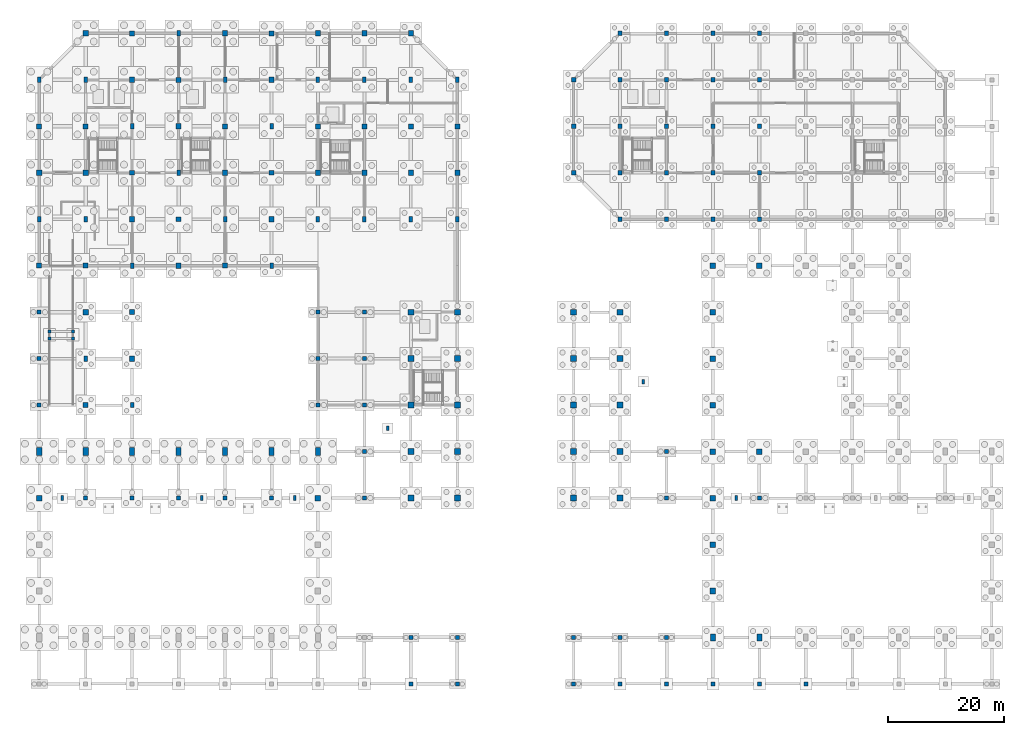
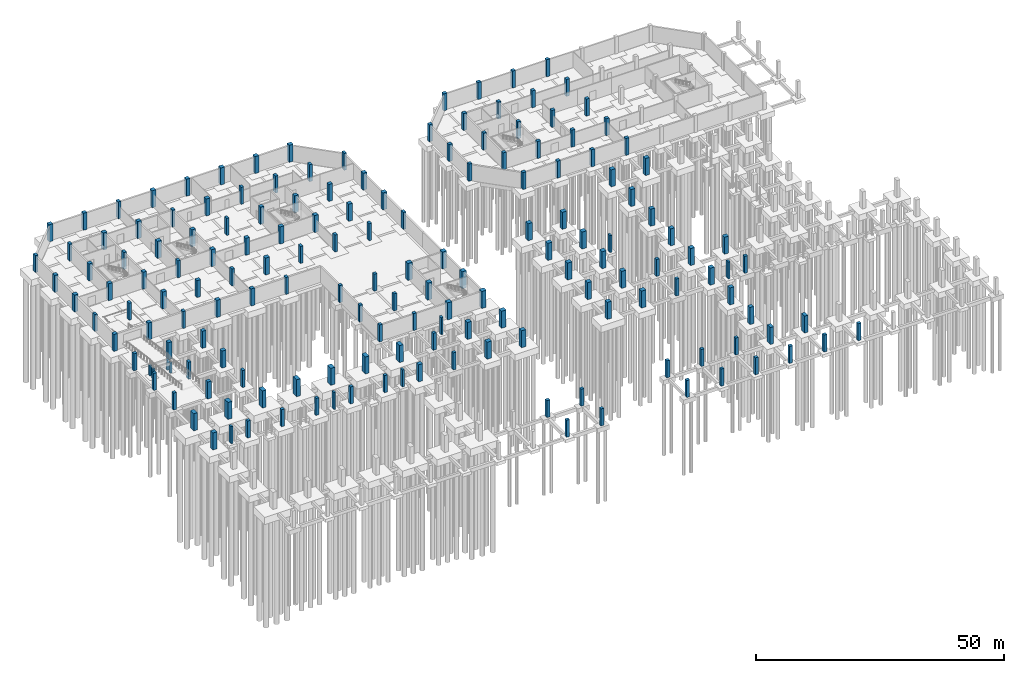
# One storey, part 14 of 32: 166 columns.
"""IFC4 building model written with IfcOpenShell, lengths in metres."""

from ifc_helpers import new_model, si_unit, direction, frame, origin, origin_2d, place, context, subcontext, project, spatial, rectangle, extrude, material, material_profile, profile_set, type_object, element, save


model = new_model("IFC4")

# Units and contexts
model_context = context("Model", 3, precision=1e-05, world=origin(), true_north=direction((0.0, 1.0)))
body_context = subcontext(model_context, "Body", "Model", "MODEL_VIEW")
ifc_project = project(units=[si_unit("LENGTHUNIT", "METRE"), si_unit("AREAUNIT", "SQUARE_METRE"), si_unit("VOLUMEUNIT", "CUBIC_METRE"), si_unit("PLANEANGLEUNIT", "RADIAN"), si_unit("MASSUNIT", "GRAM", prefix="KILO")], contexts=[model_context])

# Site, building, storey
site_placement = place(None, origin())
site = spatial("IfcSite", under=ifc_project, at=site_placement, CompositionType="ELEMENT")
building_placement = place(site_placement, origin())
building = spatial("IfcBuilding", under=site, at=building_placement, Name="Tenunan Teduh Sports Hall", CompositionType="ELEMENT")
storey_placement = place(building_placement, frame((0.0, 0.0, -4.199951171875)))
storey = spatial("IfcBuildingStorey", under=building, at=storey_placement, Name="B1", CompositionType="ELEMENT", Elevation=-4.199951171875)

# Columns
ifc_material_1 = material(Name="Concrete C40/50", Category="concrete")
ifc_material_profile_1 = material_profile(ifc_material_1, rectangle(XDim=1.0, YDim=1.0, at=origin_2d()), Name="RC 1000x1000")
ifc_profile_set_1 = profile_set([ifc_material_profile_1], Name="Concrete C40/50")
column_type_1 = type_object("IfcColumnType", Name="COL-RC-1000", PredefinedType="COLUMN", material=ifc_profile_set_1)
for number, where, z_axis, x_axis, name in (
    (1, (70.0, 38.0, 0.0), (0.0, 0.0, 1.0), (1.0, 0.0, 0.0), "COL-C-01-B1-099"),
    (2, (70.0, 46.0, 0.0), (0.0, 0.0, 1.0), (1.0, 0.0, 0.0), "COL-C-01-B1-100"),
    (3, (70.0, 54.0, 0.0), (0.0, 0.0, 1.0), (1.0, 0.0, 0.0), "COL-C-01-B1-101"),
    (4, (70.0, 62.0, 0.0), (0.0, 0.0, 1.0), (1.0, 0.0, 0.0), "COL-C-01-B1-102"),
    (5, (70.0, 70.0, 0.0), (0.0, 0.0, 1.0), (1.0, 0.0, 0.0), "COL-C-01-B1-103"),
    (6, (78.0, 38.0, 0.0), (0.0, 0.0, 1.0), (1.0, 0.0, 0.0), "COL-C-01-B1-111"),
    (7, (78.0, 46.0, 0.0), (0.0, 0.0, 1.0), (1.0, 0.0, 0.0), "COL-C-01-B1-112"),
    (8, (78.0, 54.0, 0.0), (0.0, 0.0, 1.0), (1.0, 0.0, 0.0), "COL-C-01-B1-113"),
    (9, (78.0, 62.0, 0.0), (0.0, 0.0, 1.0), (1.0, 0.0, 0.0), "COL-C-01-B1-114"),
    (10, (78.0, 70.0, 0.0), (0.0, 0.0, 1.0), (1.0, 0.0, 0.0), "COL-C-01-B1-115"),
    (11, (98.0, 38.0, 0.0), (0.0, 0.0, 1.0), (1.0, 0.0, 0.0), "COL-C-01-B1-122"),
    (12, (98.0, 46.0, 0.0), (0.0, 0.0, 1.0), (1.0, 0.0, 0.0), "COL-C-01-B1-123"),
    (13, (98.0, 54.0, 0.0), (0.0, 0.0, 1.0), (1.0, 0.0, 0.0), "COL-C-01-B1-124"),
    (14, (98.0, 62.0, 0.0), (0.0, 0.0, 1.0), (1.0, 0.0, 0.0), "COL-C-01-B1-125"),
    (15, (98.0, 70.0, 0.0), (0.0, 0.0, 1.0), (1.0, 0.0, 0.0), "COL-C-01-B1-126"),
    (16, (106.0, 38.0, 0.0), (0.0, 0.0, 1.0), (1.0, 0.0, 0.0), "COL-C-01-B1-132"),
    (17, (106.0, 46.0, 0.0), (0.0, 0.0, 1.0), (1.0, 0.0, 0.0), "COL-C-01-B1-133"),
    (18, (106.0, 54.0, 0.0), (0.0, 0.0, 1.0), (1.0, 0.0, 0.0), "COL-C-01-B1-134"),
    (19, (106.0, 62.0, 0.0), (0.0, 0.0, 1.0), (1.0, 0.0, 0.0), "COL-C-01-B1-135"),
    (20, (106.0, 70.0, 0.0), (0.0, 0.0, 1.0), (1.0, 0.0, 0.0), "COL-C-01-B1-136"),
):
    element("IfcColumn", number, at=place(storey_placement, frame(where, z_axis=z_axis, x_axis=x_axis)), inside=storey, type_object=column_type_1, Name=name, PredefinedType="COLUMN", context=body_context, shape_type="SweptSolid", body=[
        extrude(rectangle(XDim=1.0, YDim=1.0, at=origin_2d()), origin(), (0.0, 0.0, 1.0), 4.199951171875),
    ])
ifc_material_2 = material(Name="Concrete C40/50", Category="concrete")
ifc_material_profile_2 = material_profile(ifc_material_2, rectangle(XDim=0.5, YDim=0.5, at=origin_2d()), Name="RC 500x500")
ifc_profile_set_2 = profile_set([ifc_material_profile_2], Name="Concrete C40/50")
column_type_2 = type_object("IfcColumnType", Name="COL-RC-500", PredefinedType="COLUMN", material=ifc_profile_set_2)
for number, where, z_axis, x_axis, name in (
    (21, (7.800048828125, 65.5, 0.0), (0.0, 0.0, 1.0), (1.0, 0.0, 0.0), "COL-C-11-VRMP-1"),
    (22, (11.800048828125, 65.5, 0.0), (0.0, 0.0, 1.0), (1.0, 0.0, 0.0), "COL-C-11-VRMP-2"),
    (23, (7.800048828125, 66.699951171875, 0.0), (0.0, 0.0, 1.0), (1.0, 0.0, 0.0), "COL-C-11-VRMP-3"),
    (24, (11.800048828125, 66.699951171875, 0.0), (0.0, 0.0, 1.0), (1.0, 0.0, 0.0), "COL-C-11-VRMP-4"),
):
    element("IfcColumn", number, at=place(storey_placement, frame(where, z_axis=z_axis, x_axis=x_axis)), inside=storey, type_object=column_type_2, Name=name, PredefinedType="COLUMN", context=body_context, shape_type="SweptSolid", body=[
        extrude(rectangle(XDim=0.5, YDim=0.5, at=origin_2d()), origin(), (0.0, 0.0, 1.0), 2.510009765625),
    ])
ifc_material_3 = material(Name="Concrete C40/50", Category="concrete")
ifc_material_profile_3 = material_profile(ifc_material_3, rectangle(XDim=0.60009765625, YDim=0.89990234375, at=origin_2d()), Name="RC 600x900")
ifc_profile_set_3 = profile_set([ifc_material_profile_3], Name="Concrete C40/50")
column_type_3 = type_object("IfcColumnType", Name="COL-RC-600x900", PredefinedType="COLUMN", material=ifc_profile_set_3)
for number, where, z_axis, x_axis, name in (
    (25, (6.0, 86.0, 0.0), (0.0, 0.0, 1.0), (1.0, 0.0, 0.0), "COL-C-17-B1-011"),
    (26, (6.0, 110.0, 0.0), (0.0, 0.0, 1.0), (1.0, 0.0, 0.0), "COL-C-17-B1-014"),
    (27, (14.0, 62.0, 0.0), (0.0, 0.0, 1.0), (1.0, 0.0, 0.0), "COL-C-17-B1-020"),
    (28, (14.0, 86.0, 0.0), (0.0, 0.0, 1.0), (1.0, 0.0, 0.0), "COL-C-17-B1-023"),
    (29, (14.0, 110.0, 0.0), (0.0, 0.0, 1.0), (1.0, 0.0, 0.0), "COL-C-17-B1-026"),
    (30, (22.0, 54.0, 0.0), (0.0, 0.0, 1.0), (1.0, 0.0, 0.0), "COL-C-17-B1-032"),
    (31, (22.0, 78.0, 0.0), (0.0, 0.0, 1.0), (1.0, 0.0, 0.0), "COL-C-17-B1-035"),
    (32, (22.0, 102.0, 0.0), (0.0, 0.0, 1.0), (1.0, 0.0, 0.0), "COL-C-17-B1-038"),
    (33, (30.0, 94.0, 0.0), (0.0, 0.0, 1.0), (1.0, 0.0, 0.0), "COL-C-17-B1-047"),
    (34, (30.0, 118.0, 0.0), (0.0, 0.0, 1.0), (1.0, 0.0, 0.0), "COL-C-17-B1-050"),
    (35, (38.0, 86.0, 0.0), (0.0, 0.0, 1.0), (1.0, 0.0, 0.0), "COL-C-17-B1-056"),
    (36, (38.0, 110.0, 0.0), (0.0, 0.0, 1.0), (1.0, 0.0, 0.0), "COL-C-17-B1-059"),
    (37, (46.0, 78.0, 0.0), (0.0, 0.0, 1.0), (1.0, 0.0, 0.0), "COL-C-17-B1-065"),
    (38, (46.0, 102.0, 0.0), (0.0, 0.0, 1.0), (1.0, 0.0, 0.0), "COL-C-17-B1-068"),
    (39, (54.0, 86.0, 0.0), (0.0, 0.0, 1.0), (1.0, 0.0, 0.0), "COL-C-17-B1-080"),
    (40, (54.0, 110.0, 0.0), (0.0, 0.0, 1.0), (1.0, 0.0, 0.0), "COL-C-17-B1-083"),
    (41, (62.0, 86.0, 0.0), (0.0, 0.0, 1.0), (1.0, 0.0, 0.0), "COL-C-17-B1-092"),
    (42, (62.0, 110.0, 0.0), (0.0, 0.0, 1.0), (1.0, 0.0, 0.0), "COL-C-17-B1-095"),
    (43, (70.0, 86.0, 0.0), (0.0, 0.0, 1.0), (1.0, 0.0, 0.0), "COL-C-17-B1-104"),
    (44, (70.0, 110.0, 0.0), (0.0, 0.0, 1.0), (1.0, 0.0, 0.0), "COL-C-17-B1-107"),
    (45, (78.0, 86.0, 0.0), (0.0, 0.0, 1.0), (1.0, 0.0, 0.0), "COL-C-17-B1-116"),
    (46, (78.0, 110.0, 0.0), (0.0, 0.0, 1.0), (1.0, 0.0, 0.0), "COL-C-17-B1-119"),
):
    element("IfcColumn", number, at=place(storey_placement, frame(where, z_axis=z_axis, x_axis=x_axis)), inside=storey, type_object=column_type_3, Name=name, PredefinedType="COLUMN", context=body_context, shape_type="SweptSolid", body=[
        extrude(rectangle(XDim=0.60009765625, YDim=0.89990234375, at=origin_2d()), origin(), (0.0, 0.0, 1.0), 4.199951171875),
    ])
ifc_material_4 = material(Name="Concrete C40/50", Category="concrete")
ifc_material_profile_4 = material_profile(ifc_material_4, rectangle(XDim=0.699951171875, YDim=0.699951171875, at=origin_2d()), Name="RC 700x700")
ifc_profile_set_4 = profile_set([ifc_material_profile_4], Name="Concrete C40/50")
column_type_4 = type_object("IfcColumnType", Name="COL-RC-700", PredefinedType="COLUMN", material=ifc_profile_set_4)
for number, where, z_axis, x_axis, name in (
    (47, (6.0, 54.0, 0.0), (0.0, 0.0, 1.0), (1.0, 0.0, 0.0), "COL-C-07-B1-007"),
    (48, (6.0, 62.0, 0.0), (0.0, 0.0, 1.0), (1.0, 0.0, 0.0), "COL-C-07-B1-008"),
    (49, (6.0, 70.0, 0.0), (0.0, 0.0, 1.0), (1.0, 0.0, 0.0), "COL-C-07-B1-009"),
    (50, (14.0, 38.0, 0.0), (0.0, 0.0, 1.0), (1.0, 0.0, 0.0), "COL-C-07-B1-017"),
    (51, (22.0, 38.0, 0.0), (0.0, 0.0, 1.0), (1.0, 0.0, 0.0), "COL-C-07-B1-030"),
    (52, (30.0, 38.0, 0.0), (0.0, 0.0, 1.0), (1.0, 0.0, 0.0), "COL-C-07-B1-043"),
    (53, (38.0, 38.0, 0.0), (0.0, 0.0, 1.0), (1.0, 0.0, 0.0), "COL-C-07-B1-053"),
    (54, (46.0, 38.0, 0.0), (0.0, 0.0, 1.0), (1.0, 0.0, 0.0), "COL-C-07-B1-063"),
    (55, (54.0, 54.0, 0.0), (0.0, 0.0, 1.0), (1.0, 0.0, 0.0), "COL-C-07-B1-077"),
    (56, (54.0, 62.0, 0.0), (0.0, 0.0, 1.0), (1.0, 0.0, 0.0), "COL-C-07-B1-078"),
    (57, (54.0, 70.0, 0.0), (0.0, 0.0, 1.0), (1.0, 0.0, 0.0), "COL-C-07-B1-079"),
    (58, (62.0, 38.0, 0.0), (0.0, 0.0, 1.0), (1.0, 0.0, 0.0), "COL-C-07-B1-087"),
    (59, (62.0, 46.0, 0.0), (0.0, 0.0, 1.0), (1.0, 0.0, 0.0), "COL-C-07-B1-088"),
    (60, (62.0, 54.0, 0.0), (0.0, 0.0, 1.0), (1.0, 0.0, 0.0), "COL-C-07-B1-089"),
    (61, (62.0, 62.0, 0.0), (0.0, 0.0, 1.0), (1.0, 0.0, 0.0), "COL-C-07-B1-090"),
    (62, (62.0, 70.0, 0.0), (0.0, 0.0, 1.0), (1.0, 0.0, 0.0), "COL-C-07-B1-091"),
    (63, (70.0, 6.0, 0.0), (0.0, 0.0, 1.0), (1.0, 0.0, 0.0), "COL-C-07-B1-097"),
    (64, (70.0, 14.0, 0.0), (0.0, 0.0, 1.0), (1.0, 0.0, 0.0), "COL-C-07-B1-098"),
    (65, (78.0, 6.0, 0.0), (0.0, 0.0, 1.0), (1.0, 0.0, 0.0), "COL-C-07-B1-109"),
    (66, (78.0, 14.0, 0.0), (0.0, 0.0, 1.0), (1.0, 0.0, 0.0), "COL-C-07-B1-110"),
    (67, (98.0, 6.0, 0.0), (0.0, 0.0, 1.0), (1.0, 0.0, 0.0), "COL-C-07-B1-120"),
    (68, (98.0, 14.0, 0.0), (0.0, 0.0, 1.0), (1.0, 0.0, 0.0), "COL-C-07-B1-121"),
    (69, (106.0, 6.0, 0.0), (0.0, 0.0, 1.0), (1.0, 0.0, 0.0), "COL-C-07-B1-130"),
    (70, (106.0, 14.0, 0.0), (0.0, 0.0, 1.0), (1.0, 0.0, 0.0), "COL-C-07-B1-131"),
    (71, (114.0, 6.0, 0.0), (0.0, 0.0, 1.0), (1.0, 0.0, 0.0), "COL-C-07-B1-142"),
    (72, (114.0, 14.0, 0.0), (0.0, 0.0, 1.0), (1.0, 0.0, 0.0), "COL-C-07-B1-143"),
    (73, (114.0, 38.0, 0.0), (0.0, 0.0, 1.0), (1.0, 0.0, 0.0), "COL-C-07-B1-144"),
    (74, (114.0, 46.0, 0.0), (0.0, 0.0, 1.0), (1.0, 0.0, 0.0), "COL-C-07-B1-145"),
    (75, (122.0, 6.0, 0.0), (0.0, 0.0, 1.0), (1.0, 0.0, 0.0), "COL-C-07-B1-151"),
    (76, (130.0, 6.0, 0.0), (0.0, 0.0, 1.0), (1.0, 0.0, 0.0), "COL-C-07-B1-166"),
    (77, (130.0, 38.0, 0.0), (0.0, 0.0, 1.0), (1.0, 0.0, 0.0), "COL-C-07-B1-168"),
    (78, (138.0, 6.0, 0.0), (0.0, 0.0, 1.0), (1.0, 0.0, 0.0), "COL-C-07-B1-176"),
):
    element("IfcColumn", number, at=place(storey_placement, frame(where, z_axis=z_axis, x_axis=x_axis)), inside=storey, type_object=column_type_4, Name=name, PredefinedType="COLUMN", context=body_context, shape_type="SweptSolid", body=[
        extrude(rectangle(XDim=0.699951171875, YDim=0.699951171875, at=origin_2d()), origin(), (0.0, 0.0, 1.0), 4.199951171875),
    ])
ifc_material_5 = material(Name="Concrete C40/50", Category="concrete")
ifc_material_profile_5 = material_profile(ifc_material_5, rectangle(XDim=0.75, YDim=0.75, at=origin_2d()), Name="RC 750x750")
ifc_profile_set_5 = profile_set([ifc_material_profile_5], Name="Concrete C40/50")
column_type_5 = type_object("IfcColumnType", Name="COL-RC-750", PredefinedType="COLUMN", material=ifc_profile_set_5)
for number, where, z_axis, x_axis, name in (
    (79, (98.0, 94.0, 0.0), (0.0, 0.0, 1.0), (1.0, 0.0, 0.0), "COL-C-06-B1-127"),
    (80, (98.0, 102.0, 0.0), (0.0, 0.0, 1.0), (1.0, 0.0, 0.0), "COL-C-06-B1-128"),
    (81, (98.0, 110.0, 0.0), (0.0, 0.0, 1.0), (1.0, 0.0, 0.0), "COL-C-06-B1-129"),
    (82, (106.0, 86.0, 0.0), (0.0, 0.0, 1.0), (1.0, 0.0, 0.0), "COL-C-06-B1-137"),
    (83, (106.0, 94.0, 0.0), (0.0, 0.0, 1.0), (1.0, 0.0, 0.0), "COL-C-06-B1-138"),
    (84, (106.0, 102.0, 0.0), (0.0, 0.0, 1.0), (1.0, 0.0, 0.0), "COL-C-06-B1-139"),
    (85, (106.0, 110.0, 0.0), (0.0, 0.0, 1.0), (1.0, 0.0, 0.0), "COL-C-06-B1-140"),
    (86, (106.0, 118.0, 0.0), (0.0, 0.0, 1.0), (1.0, 0.0, 0.0), "COL-C-06-B1-141"),
    (87, (114.0, 86.0, 0.0), (0.0, 0.0, 1.0), (1.0, 0.0, 0.0), "COL-C-06-B1-146"),
    (88, (114.0, 94.0, 0.0), (0.0, 0.0, 1.0), (1.0, 0.0, 0.0), "COL-C-06-B1-147"),
    (89, (114.0, 102.0, 0.0), (0.0, 0.0, 1.0), (1.0, 0.0, 0.0), "COL-C-06-B1-148"),
    (90, (114.0, 110.0, 0.0), (0.0, 0.0, 1.0), (1.0, 0.0, 0.0), "COL-C-06-B1-149"),
    (91, (114.0, 118.0, 0.0), (0.0, 0.0, 1.0), (1.0, 0.0, 0.0), "COL-C-06-B1-150"),
    (92, (122.0, 86.0, 0.0), (0.0, 0.0, 1.0), (1.0, 0.0, 0.0), "COL-C-06-B1-161"),
    (93, (122.0, 94.0, 0.0), (0.0, 0.0, 1.0), (1.0, 0.0, 0.0), "COL-C-06-B1-162"),
    (94, (122.0, 102.0, 0.0), (0.0, 0.0, 1.0), (1.0, 0.0, 0.0), "COL-C-06-B1-163"),
    (95, (122.0, 110.0, 0.0), (0.0, 0.0, 1.0), (1.0, 0.0, 0.0), "COL-C-06-B1-164"),
    (96, (122.0, 118.0, 0.0), (0.0, 0.0, 1.0), (1.0, 0.0, 0.0), "COL-C-06-B1-165"),
    (97, (130.0, 86.0, 0.0), (0.0, 0.0, 1.0), (1.0, 0.0, 0.0), "COL-C-06-B1-171"),
    (98, (130.0, 94.0, 0.0), (0.0, 0.0, 1.0), (1.0, 0.0, 0.0), "COL-C-06-B1-172"),
    (99, (130.0, 102.0, 0.0), (0.0, 0.0, 1.0), (1.0, 0.0, 0.0), "COL-C-06-B1-173"),
    (100, (130.0, 110.0, 0.0), (0.0, 0.0, 1.0), (1.0, 0.0, 0.0), "COL-C-06-B1-174"),
    (101, (130.0, 118.0, 0.0), (0.0, 0.0, 1.0), (1.0, 0.0, 0.0), "COL-C-06-B1-175"),
):
    element("IfcColumn", number, at=place(storey_placement, frame(where, z_axis=z_axis, x_axis=x_axis)), inside=storey, type_object=column_type_5, Name=name, PredefinedType="COLUMN", context=body_context, shape_type="SweptSolid", body=[
        extrude(rectangle(XDim=0.75, YDim=0.75, at=origin_2d()), origin(), (0.0, 0.0, 1.0), 4.199951171875),
    ])
ifc_material_6 = material(Name="Concrete C40/50", Category="concrete")
ifc_material_profile_6 = material_profile(ifc_material_6, rectangle(XDim=0.800048828125, YDim=1.199951171875, at=origin_2d()), Name="RC 800x1200")
ifc_profile_set_6 = profile_set([ifc_material_profile_6], Name="Concrete C40/50")
column_type_6 = type_object("IfcColumnType", Name="COL-RC-800x1200", PredefinedType="COLUMN", material=ifc_profile_set_6)
for number, where, z_axis, x_axis, name in (
    (102, (122.0, 14.0, 0.0), (0.0, 0.0, 1.0), (1.0, 0.0, 0.0), "COL-C-14-B1-152"),
    (103, (130.0, 14.0, 0.0), (0.0, 0.0, 1.0), (1.0, 0.0, 0.0), "COL-C-14-B1-167"),
):
    element("IfcColumn", number, at=place(storey_placement, frame(where, z_axis=z_axis, x_axis=x_axis)), inside=storey, type_object=column_type_6, Name=name, PredefinedType="COLUMN", context=body_context, shape_type="SweptSolid", body=[
        extrude(rectangle(XDim=0.800048828125, YDim=1.199951171875, at=origin_2d()), origin(), (0.0, 0.0, 1.0), 4.199951171875),
    ])
ifc_material_7 = material(Name="Concrete C40/50", Category="concrete")
ifc_material_profile_7 = material_profile(ifc_material_7, rectangle(XDim=0.85009765625, YDim=0.85009765625, at=origin_2d()), Name="RC 850x850")
ifc_profile_set_7 = profile_set([ifc_material_profile_7], Name="Concrete C40/50")
column_type_7 = type_object("IfcColumnType", Name="COL-RC-850", PredefinedType="COLUMN", material=ifc_profile_set_7)
for number, where, z_axis, x_axis, name in (
    (104, (6.0, 78.0, 0.0), (0.0, 0.0, 1.0), (1.0, 0.0, 0.0), "COL-C-04-B1-010"),
    (105, (6.0, 102.0, 0.0), (0.0, 0.0, 1.0), (1.0, 0.0, 0.0), "COL-C-04-B1-013"),
    (106, (14.0, 54.0, 0.0), (0.0, 0.0, 1.0), (1.0, 0.0, 0.0), "COL-C-04-B1-019"),
    (107, (14.0, 78.0, 0.0), (0.0, 0.0, 1.0), (1.0, 0.0, 0.0), "COL-C-04-B1-022"),
    (108, (14.0, 102.0, 0.0), (0.0, 0.0, 1.0), (1.0, 0.0, 0.0), "COL-C-04-B1-025"),
    (109, (22.0, 70.0, 0.0), (0.0, 0.0, 1.0), (1.0, 0.0, 0.0), "COL-C-04-B1-034"),
    (110, (22.0, 94.0, 0.0), (0.0, 0.0, 1.0), (1.0, 0.0, 0.0), "COL-C-04-B1-037"),
    (111, (22.0, 118.0, 0.0), (0.0, 0.0, 1.0), (1.0, 0.0, 0.0), "COL-C-04-B1-040"),
    (112, (30.0, 86.0, 0.0), (0.0, 0.0, 1.0), (1.0, 0.0, 0.0), "COL-C-04-B1-046"),
    (113, (30.0, 110.0, 0.0), (0.0, 0.0, 1.0), (1.0, 0.0, 0.0), "COL-C-04-B1-049"),
    (114, (38.0, 78.0, 0.0), (0.0, 0.0, 1.0), (1.0, 0.0, 0.0), "COL-C-04-B1-055"),
    (115, (38.0, 102.0, 0.0), (0.0, 0.0, 1.0), (1.0, 0.0, 0.0), "COL-C-04-B1-058"),
    (116, (46.0, 94.0, 0.0), (0.0, 0.0, 1.0), (1.0, 0.0, 0.0), "COL-C-04-B1-067"),
    (117, (46.0, 118.0, 0.0), (0.0, 0.0, 1.0), (1.0, 0.0, 0.0), "COL-C-04-B1-070"),
    (118, (54.0, 102.0, 0.0), (0.0, 0.0, 1.0), (1.0, 0.0, 0.0), "COL-C-04-B1-082"),
    (119, (62.0, 102.0, 0.0), (0.0, 0.0, 1.0), (1.0, 0.0, 0.0), "COL-C-04-B1-094"),
    (120, (70.0, 102.0, 0.0), (0.0, 0.0, 1.0), (1.0, 0.0, 0.0), "COL-C-04-B1-106"),
    (121, (78.0, 102.0, 0.0), (0.0, 0.0, 1.0), (1.0, 0.0, 0.0), "COL-C-04-B1-118"),
):
    element("IfcColumn", number, at=place(storey_placement, frame(where, z_axis=z_axis, x_axis=x_axis)), inside=storey, type_object=column_type_7, Name=name, PredefinedType="COLUMN", context=body_context, shape_type="SweptSolid", body=[
        extrude(rectangle(XDim=0.85009765625, YDim=0.85009765625, at=origin_2d()), origin(), (0.0, 0.0, 1.0), 4.199951171875),
    ])
ifc_material_8 = material(Name="Concrete C40/50", Category="concrete")
ifc_material_profile_8 = material_profile(ifc_material_8, rectangle(XDim=0.89990234375, YDim=0.89990234375, at=origin_2d()), Name="RC 900x900")
ifc_profile_set_8 = profile_set([ifc_material_profile_8], Name="Concrete C40/50")
column_type_8 = type_object("IfcColumnType", Name="COL-RC-900", PredefinedType="COLUMN", material=ifc_profile_set_8)
for number, where, z_axis, x_axis, name in (
    (122, (6.0, 94.0, 0.0), (0.0, 0.0, 1.0), (1.0, 0.0, 0.0), "COL-C-03-B1-012"),
    (123, (14.0, 70.0, 0.0), (0.0, 0.0, 1.0), (1.0, 0.0, 0.0), "COL-C-03-B1-021"),
    (124, (14.0, 94.0, 0.0), (0.0, 0.0, 1.0), (1.0, 0.0, 0.0), "COL-C-03-B1-024"),
    (125, (14.0, 118.0, 0.0), (0.0, 0.0, 1.0), (1.0, 0.0, 0.0), "COL-C-03-B1-027"),
    (126, (22.0, 62.0, 0.0), (0.0, 0.0, 1.0), (1.0, 0.0, 0.0), "COL-C-03-B1-033"),
    (127, (22.0, 86.0, 0.0), (0.0, 0.0, 1.0), (1.0, 0.0, 0.0), "COL-C-03-B1-036"),
    (128, (22.0, 110.0, 0.0), (0.0, 0.0, 1.0), (1.0, 0.0, 0.0), "COL-C-03-B1-039"),
    (129, (30.0, 78.0, 0.0), (0.0, 0.0, 1.0), (1.0, 0.0, 0.0), "COL-C-03-B1-045"),
    (130, (30.0, 102.0, 0.0), (0.0, 0.0, 1.0), (1.0, 0.0, 0.0), "COL-C-03-B1-048"),
    (131, (38.0, 94.0, 0.0), (0.0, 0.0, 1.0), (1.0, 0.0, 0.0), "COL-C-03-B1-057"),
    (132, (38.0, 118.0, 0.0), (0.0, 0.0, 1.0), (1.0, 0.0, 0.0), "COL-C-03-B1-060"),
    (133, (46.0, 86.0, 0.0), (0.0, 0.0, 1.0), (1.0, 0.0, 0.0), "COL-C-03-B1-066"),
    (134, (46.0, 110.0, 0.0), (0.0, 0.0, 1.0), (1.0, 0.0, 0.0), "COL-C-03-B1-069"),
    (135, (54.0, 94.0, 0.0), (0.0, 0.0, 1.0), (1.0, 0.0, 0.0), "COL-C-03-B1-081"),
    (136, (54.0, 118.0, 0.0), (0.0, 0.0, 1.0), (1.0, 0.0, 0.0), "COL-C-03-B1-084"),
    (137, (62.0, 94.0, 0.0), (0.0, 0.0, 1.0), (1.0, 0.0, 0.0), "COL-C-03-B1-093"),
    (138, (62.0, 118.0, 0.0), (0.0, 0.0, 1.0), (1.0, 0.0, 0.0), "COL-C-03-B1-096"),
    (139, (70.0, 94.0, 0.0), (0.0, 0.0, 1.0), (1.0, 0.0, 0.0), "COL-C-03-B1-105"),
    (140, (70.0, 118.0, 0.0), (0.0, 0.0, 1.0), (1.0, 0.0, 0.0), "COL-C-03-B1-108"),
    (141, (78.0, 94.0, 0.0), (0.0, 0.0, 1.0), (1.0, 0.0, 0.0), "COL-C-03-B1-117"),
):
    element("IfcColumn", number, at=place(storey_placement, frame(where, z_axis=z_axis, x_axis=x_axis)), inside=storey, type_object=column_type_8, Name=name, PredefinedType="COLUMN", context=body_context, shape_type="SweptSolid", body=[
        extrude(rectangle(XDim=0.89990234375, YDim=0.89990234375, at=origin_2d()), origin(), (0.0, 0.0, 1.0), 4.199951171875),
    ])
ifc_material_9 = material(Name="Concrete C40/50", Category="concrete")
ifc_material_profile_9 = material_profile(ifc_material_9, rectangle(XDim=0.89990234375, YDim=1.39990234375, at=origin_2d()), Name="RC 900x1400")
ifc_profile_set_9 = profile_set([ifc_material_profile_9], Name="Concrete C40/50")
column_type_9 = type_object("IfcColumnType", Name="COL-RC-900x1400", PredefinedType="COLUMN", material=ifc_profile_set_9)
for number, where, z_axis, x_axis, name in (
    (142, (6.0, 46.0, 0.0), (0.0, 0.0, 1.0), (1.0, 0.0, 0.0), "COL-C-13-B1-006"),
    (143, (14.0, 46.0, 0.0), (0.0, 0.0, 1.0), (1.0, 0.0, 0.0), "COL-C-13-B1-018"),
    (144, (22.0, 46.0, 0.0), (0.0, 0.0, 1.0), (1.0, 0.0, 0.0), "COL-C-13-B1-031"),
    (145, (30.0, 46.0, 0.0), (0.0, 0.0, 1.0), (1.0, 0.0, 0.0), "COL-C-13-B1-044"),
    (146, (38.0, 46.0, 0.0), (0.0, 0.0, 1.0), (1.0, 0.0, 0.0), "COL-C-13-B1-054"),
    (147, (46.0, 46.0, 0.0), (0.0, 0.0, 1.0), (1.0, 0.0, 0.0), "COL-C-13-B1-064"),
    (148, (54.0, 46.0, 0.0), (0.0, 0.0, 1.0), (1.0, 0.0, 0.0), "COL-C-13-B1-076"),
):
    element("IfcColumn", number, at=place(storey_placement, frame(where, z_axis=z_axis, x_axis=x_axis)), inside=storey, type_object=column_type_9, Name=name, PredefinedType="COLUMN", context=body_context, shape_type="SweptSolid", body=[
        extrude(rectangle(XDim=0.89990234375, YDim=1.39990234375, at=origin_2d()), origin(), (0.0, 0.0, 1.0), 4.199951171875),
    ])
ifc_material_10 = material(Name="Concrete C40/50", Category="concrete")
ifc_material_profile_10 = material_profile(ifc_material_10, rectangle(XDim=0.949951171875, YDim=0.949951171875, at=origin_2d()), Name="RC 950x950")
ifc_profile_set_10 = profile_set([ifc_material_profile_10], Name="Concrete C40/50")
column_type_10 = type_object("IfcColumnType", Name="COL-RC-950", PredefinedType="COLUMN", material=ifc_profile_set_10)
for number, where, z_axis, x_axis, name in (
    (149, (6.0, 38.0, 0.0), (0.0, 0.0, 1.0), (1.0, 0.0, 0.0), "COL-C-02-B1-005"),
    (150, (54.0, 38.0, 0.0), (0.0, 0.0, 1.0), (1.0, 0.0, 0.0), "COL-C-02-B1-075"),
    (151, (122.0, 22.0, 0.0), (0.0, 0.0, 1.0), (1.0, 0.0, 0.0), "COL-C-02-B1-153"),
    (152, (122.0, 30.0, 0.0), (0.0, 0.0, 1.0), (1.0, 0.0, 0.0), "COL-C-02-B1-154"),
    (153, (122.0, 38.0, 0.0), (0.0, 0.0, 1.0), (1.0, 0.0, 0.0), "COL-C-02-B1-155"),
    (154, (122.0, 46.0, 0.0), (0.0, 0.0, 1.0), (1.0, 0.0, 0.0), "COL-C-02-B1-156"),
    (155, (122.0, 54.0, 0.0), (0.0, 0.0, 1.0), (1.0, 0.0, 0.0), "COL-C-02-B1-157"),
    (156, (122.0, 62.0, 0.0), (0.0, 0.0, 1.0), (1.0, 0.0, 0.0), "COL-C-02-B1-158"),
    (157, (122.0, 70.0, 0.0), (0.0, 0.0, 1.0), (1.0, 0.0, 0.0), "COL-C-02-B1-159"),
    (158, (122.0, 78.0, 0.0), (0.0, 0.0, 1.0), (1.0, 0.0, 0.0), "COL-C-02-B1-160"),
    (159, (130.0, 46.0, 0.0), (0.0, 0.0, 1.0), (1.0, 0.0, 0.0), "COL-C-02-B1-169"),
    (160, (130.0, 78.0, 0.0), (0.0, 0.0, 1.0), (1.0, 0.0, 0.0), "COL-C-02-B1-170"),
):
    element("IfcColumn", number, at=place(storey_placement, frame(where, z_axis=z_axis, x_axis=x_axis)), inside=storey, type_object=column_type_10, Name=name, PredefinedType="COLUMN", context=body_context, shape_type="SweptSolid", body=[
        extrude(rectangle(XDim=0.949951171875, YDim=0.949951171875, at=origin_2d()), origin(), (0.0, 0.0, 1.0), 4.199951171875),
    ])
ifc_material_11 = material(Name="Concrete C40/50", Category="concrete")
ifc_material_profile_11 = material_profile(ifc_material_11, rectangle(XDim=0.449951171875, YDim=0.800048828125, at=origin_2d()), Name="PIL 450x800")
ifc_profile_set_11 = profile_set([ifc_material_profile_11], Name="Concrete C40/50")
column_type_11 = type_object("IfcColumnType", Name="PIL-450x800", PredefinedType="PILASTER", material=ifc_profile_set_11)
for number, where, z_axis, x_axis, name in (
    (161, (10.0, 38.0, 0.0), (0.0, 0.0, 1.0), (1.0, 0.0, 0.0), "PIL-PL-C1-B1-01"),
    (162, (34.0, 38.0, 0.0), (0.0, 0.0, 1.0), (1.0, 0.0, 0.0), "PIL-PL-C1-B1-02"),
    (163, (50.0, 38.0, 0.0), (0.0, 0.0, 1.0), (1.0, 0.0, 0.0), "PIL-PL-C1-B1-03"),
    (164, (126.0, 38.0, 0.0), (0.0, 0.0, 1.0), (1.0, 0.0, 0.0), "PIL-PL-C1-B1-04"),
    (165, (66.0, 50.0, 0.0), (0.0, 0.0, 1.0), (1.0, 0.0, 0.0), "PIL-PL-C1-B1-07"),
    (166, (110.0, 58.0, 0.0), (0.0, 0.0, 1.0), (1.0, 0.0, 0.0), "PIL-PL-C1-B1-08"),
):
    element("IfcColumn", number, at=place(storey_placement, frame(where, z_axis=z_axis, x_axis=x_axis)), inside=storey, type_object=column_type_11, Name=name, PredefinedType="PILASTER", context=body_context, shape_type="SweptSolid", body=[
        extrude(rectangle(XDim=0.449951171875, YDim=0.800048828125, at=origin_2d()), origin(), (0.0, 0.0, 1.0), 4.199951171875),
    ])

save(model, "model.ifc")
